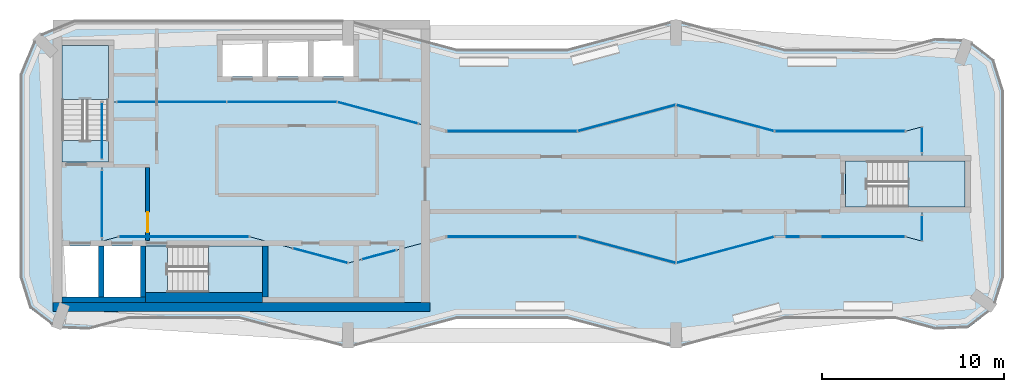
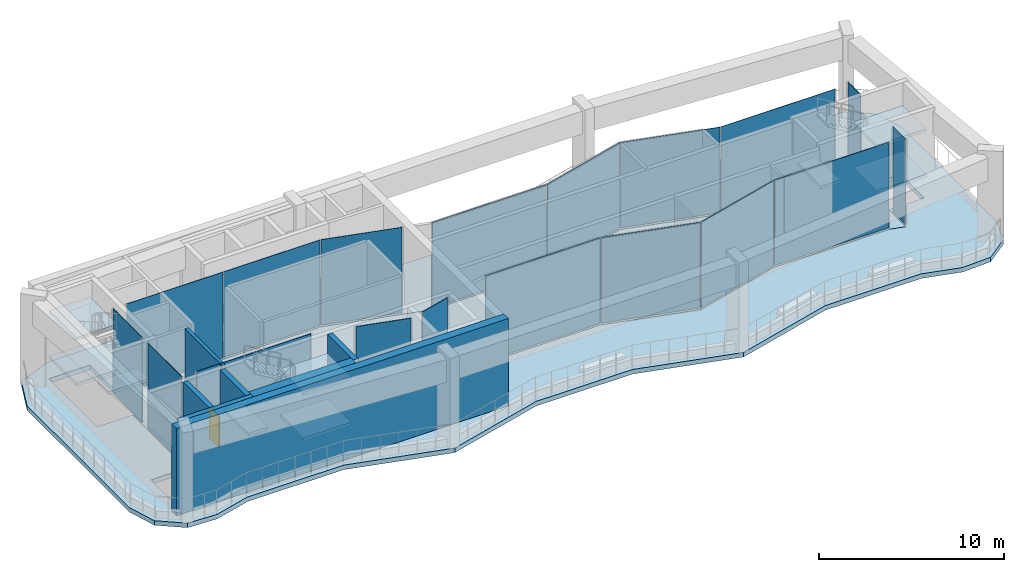
# One storey, part 6 of 12: 18 plates, 11 slabs, 7 walls, 1 door, 1 opening, 20 elements without a shape of their own.
"""IFC4 building model written with IfcOpenShell, lengths in metres."""

from ifc_helpers import new_model, si_unit, direction, frame, frame_2d, origin, origin_2d, place, context, subcontext, project, spatial, polyline, rectangle, outline, extrude, material, layer, layer_set, type_object, element, fill, aggregate, save


model = new_model("IFC4")

# Units and contexts
model_context = context("Model", 3, precision=1e-05, world=origin(), true_north=direction((0.0, 1.0)))
body_context = subcontext(model_context, "Body", "Model", "MODEL_VIEW")
ifc_project = project(units=[si_unit("LENGTHUNIT", "METRE"), si_unit("AREAUNIT", "SQUARE_METRE"), si_unit("VOLUMEUNIT", "CUBIC_METRE"), si_unit("PLANEANGLEUNIT", "RADIAN"), si_unit("MASSUNIT", "GRAM", prefix="KILO")], contexts=[model_context])

# Site, building, storey
site_placement = place(None, origin())
site = spatial("IfcSite", under=ifc_project, at=site_placement, CompositionType="ELEMENT")
building_placement = place(site_placement, origin())
building = spatial("IfcBuilding", under=site, at=building_placement, Name="Plateau Cross Towers", CompositionType="ELEMENT")
storey_placement = place(building_placement, frame((0.0, 0.0, 236.39990234375)))
storey = spatial("IfcBuildingStorey", under=building, at=storey_placement, Name="L62", CompositionType="ELEMENT", Elevation=236.39990234375)

# Curtain wall, plate
ifc_material_1 = material(Name="Dark low-iron glass", Category="glass")
ifc_layer_1 = layer(ifc_material_1, 0.239990234375)
ifc_layer_set_1 = layer_set([ifc_layer_1], Name="Dark low-iron glass")
curtain_wall_type = type_object("IfcCurtainWallType", Name="Curtain wall flush unitised CW-B", PredefinedType="NOTDEFINED", material=ifc_layer_set_1)
curtain_wall_1_placement = place(storey_placement, origin())
curtain_wall_1 = element("IfcCurtainWall", 1, at=curtain_wall_1_placement, inside=storey, type_object=curtain_wall_type, Name="ENV/A/L62/inner0_45_60", PredefinedType="NOTDEFINED")
ifc_layer_2 = layer(ifc_material_1, 0.031982421875)
ifc_layer_set_2 = layer_set([ifc_layer_2], Name="Dark low-iron glass")
plate_type = type_object("IfcPlateType", Name="Glass panel 32 flush unitised", PredefinedType="CURTAIN_PANEL", material=ifc_layer_set_2)
plate_1_placement = place(storey_placement, frame((4.5, 7.89990234375, 0.1201171875), z_axis=(0.0, 0.0, 1.0), x_axis=(0.0, 1.0, 0.0)))
plate_1 = element("IfcPlate", 2, at=plate_1_placement, type_object=plate_type, Name="CW-B panel 1", PredefinedType="CURTAIN_PANEL", context=body_context, shape_type="SweptSolid", body=[
    extrude(rectangle(XDim=3.639892578125, YDim=0.031982421875, at=origin_2d()), origin(), (0.0, 0.0, 1.0), 5.6298828125),
])
aggregate(curtain_wall_1, [plate_1])

curtain_wall_2_placement = place(storey_placement, origin())
curtain_wall_2 = element("IfcCurtainWall", 3, at=curtain_wall_2_placement, inside=storey, type_object=curtain_wall_type, Name="ENV/A/L62/inner0_45_104", PredefinedType="NOTDEFINED")
plate_2_placement = place(storey_placement, frame((4.5, 11.925048828125, 0.1201171875), z_axis=(0.0, 0.0, 1.0), x_axis=(0.0, 1.0, 0.0)))
plate_2 = element("IfcPlate", 4, at=plate_2_placement, type_object=plate_type, Name="CW-B panel 1", PredefinedType="CURTAIN_PANEL", context=body_context, shape_type="SweptSolid", body=[
    extrude(rectangle(XDim=3.090087890625, YDim=0.031982421875, at=origin_2d()), origin(), (0.0, 0.0, 1.0), 5.6298828125),
])
aggregate(curtain_wall_2, [plate_2])

# Curtain wall, plates
curtain_wall_3_placement = place(storey_placement, origin())
curtain_wall_3 = element("IfcCurtainWall", 5, at=curtain_wall_3_placement, inside=storey, type_object=curtain_wall_type, Name="ENV/A/L62/inner0_53_135", PredefinedType="NOTDEFINED")
plate_3_placement = place(storey_placement, frame((8.326904296875, 13.5, 0.1201171875), z_axis=(0.0, 0.0, 1.0), x_axis=(1.0, 0.0, 0.0)))
plate_3 = element("IfcPlate", 6, at=plate_3_placement, type_object=plate_type, Name="CW-B panel 1", PredefinedType="CURTAIN_PANEL", context=body_context, shape_type="SweptSolid", body=[
    extrude(rectangle(XDim=5.993896484375, YDim=0.031982421875, at=origin_2d()), origin(), (0.0, 0.0, 1.0), 5.6298828125),
])
plate_4_placement = place(storey_placement, frame((14.380859375, 13.5, 0.1201171875), z_axis=(0.0, 0.0, 1.0), x_axis=(1.0, 0.0, 0.0)))
plate_4 = element("IfcPlate", 7, at=plate_4_placement, type_object=plate_type, Name="CW-B panel 2", PredefinedType="CURTAIN_PANEL", context=body_context, shape_type="SweptSolid", body=[
    extrude(rectangle(XDim=5.993896484375, YDim=0.031982421875, at=origin_2d()), origin(), (0.0, 0.0, 1.0), 5.6298828125),
])
aggregate(curtain_wall_3, [plate_3, plate_4])

# Curtain wall, plate
curtain_wall_4_placement = place(storey_placement, origin())
curtain_wall_4 = element("IfcCurtainWall", 8, at=curtain_wall_4_placement, inside=storey, type_object=curtain_wall_type, Name="ENV/A/L62/inner0_174_135", PredefinedType="NOTDEFINED")
plate_5_placement = place(storey_placement, frame((19.62939453125, 12.905029296875, 0.1201171875), z_axis=(0.0, 0.0, 1.0), x_axis=(0.965957983404, -0.258699003279, 0.0)))
plate_5 = element("IfcPlate", 9, at=plate_5_placement, type_object=plate_type, Name="CW-B panel 1", PredefinedType="CURTAIN_PANEL", context=body_context, shape_type="SweptSolid", body=[
    extrude(rectangle(XDim=4.539794921875, YDim=0.031982421875, at=origin_2d()), origin(), (0.0, 0.0, 1.0), 5.6298828125),
])
aggregate(curtain_wall_4, [plate_5])

curtain_wall_5_placement = place(storey_placement, origin())
curtain_wall_5 = element("IfcCurtainWall", 10, at=curtain_wall_5_placement, inside=storey, type_object=curtain_wall_type, Name="ENV/A/L62/inner0_234_119", PredefinedType="NOTDEFINED")
plate_6_placement = place(storey_placement, frame((27.0, 11.89306640625, 0.1201171875), z_axis=(0.0, 0.0, 1.0), x_axis=(1.0, 0.0, 0.0)))
plate_6 = element("IfcPlate", 11, at=plate_6_placement, type_object=plate_type, Name="CW-B panel 1", PredefinedType="CURTAIN_PANEL", context=body_context, shape_type="SweptSolid", body=[
    extrude(rectangle(XDim=7.124267578125, YDim=0.031982421875, at=origin_2d()), origin(), (0.0, 0.0, 1.0), 5.6298828125),
])
aggregate(curtain_wall_5, [plate_6])

curtain_wall_6_placement = place(storey_placement, origin())
curtain_wall_6 = element("IfcCurtainWall", 12, at=curtain_wall_6_placement, inside=storey, type_object=curtain_wall_type, Name="ENV/A/L62/inner0_306_119", PredefinedType="NOTDEFINED")
plate_7_placement = place(storey_placement, frame((33.296142578125, 12.6171875, 0.1201171875), z_axis=(0.0, 0.0, 1.0), x_axis=(0.965957983404, 0.258699003279, 0.0)))
plate_7 = element("IfcPlate", 13, at=plate_7_placement, type_object=plate_type, Name="CW-B panel 1", PredefinedType="CURTAIN_PANEL", context=body_context, shape_type="SweptSolid", body=[
    extrude(rectangle(XDim=5.538330078125, YDim=0.031982421875, at=origin_2d()), origin(), (0.0, 0.0, 1.0), 5.6298828125),
])
aggregate(curtain_wall_6, [plate_7])

curtain_wall_7_placement = place(storey_placement, origin())
curtain_wall_7 = element("IfcCurtainWall", 14, at=curtain_wall_7_placement, inside=storey, type_object=curtain_wall_type, Name="ENV/A/L62/inner0_360_133", PredefinedType="NOTDEFINED")
plate_8_placement = place(storey_placement, frame((38.703857421875, 12.6171875, 0.1201171875), z_axis=(0.0, 0.0, 1.0), x_axis=(0.965957983404, -0.258699003279, 0.0)))
plate_8 = element("IfcPlate", 15, at=plate_8_placement, type_object=plate_type, Name="CW-B panel 1", PredefinedType="CURTAIN_PANEL", context=body_context, shape_type="SweptSolid", body=[
    extrude(rectangle(XDim=5.538330078125, YDim=0.031982421875, at=origin_2d()), origin(), (0.0, 0.0, 1.0), 5.6298828125),
])
aggregate(curtain_wall_7, [plate_8])

curtain_wall_8_placement = place(storey_placement, origin())
curtain_wall_8 = element("IfcCurtainWall", 16, at=curtain_wall_8_placement, inside=storey, type_object=curtain_wall_type, Name="ENV/A/L62/inner0_414_119", PredefinedType="NOTDEFINED")
plate_9_placement = place(storey_placement, frame((45.0, 11.89306640625, 0.1201171875), z_axis=(0.0, 0.0, 1.0), x_axis=(1.0, 0.0, 0.0)))
plate_9 = element("IfcPlate", 17, at=plate_9_placement, type_object=plate_type, Name="CW-B panel 1", PredefinedType="CURTAIN_PANEL", context=body_context, shape_type="SweptSolid", body=[
    extrude(rectangle(XDim=7.124267578125, YDim=0.031982421875, at=origin_2d()), origin(), (0.0, 0.0, 1.0), 5.6298828125),
])
aggregate(curtain_wall_8, [plate_9])

curtain_wall_9_placement = place(storey_placement, origin())
curtain_wall_9 = element("IfcCurtainWall", 18, at=curtain_wall_9_placement, inside=storey, type_object=curtain_wall_type, Name="ENV/A/L62/inner0_495_121", PredefinedType="NOTDEFINED")
plate_10_placement = place(storey_placement, frame((49.5, 11.4306640625, 0.1201171875), z_axis=(0.0, 0.0, 1.0), x_axis=(0.0, -1.0, 0.0)))
plate_10 = element("IfcPlate", 19, at=plate_10_placement, type_object=plate_type, Name="CW-B panel 1", PredefinedType="CURTAIN_PANEL", context=body_context, shape_type="SweptSolid", body=[
    extrude(rectangle(XDim=1.351318359375, YDim=0.031982421875, at=origin_2d()), origin(), (0.0, 0.0, 1.0), 5.6298828125),
])
aggregate(curtain_wall_9, [plate_10])

curtain_wall_10_placement = place(storey_placement, origin())
curtain_wall_10 = element("IfcCurtainWall", 20, at=curtain_wall_10_placement, inside=storey, type_object=curtain_wall_type, Name="ENV/A/L62/inner0_495_73", PredefinedType="NOTDEFINED")
plate_11_placement = place(storey_placement, frame((49.5, 6.5693359375, 0.1201171875), z_axis=(0.0, 0.0, 1.0), x_axis=(0.0, -1.0, 0.0)))
plate_11 = element("IfcPlate", 21, at=plate_11_placement, type_object=plate_type, Name="CW-B panel 1", PredefinedType="CURTAIN_PANEL", context=body_context, shape_type="SweptSolid", body=[
    extrude(rectangle(XDim=1.351318359375, YDim=0.031982421875, at=origin_2d()), origin(), (0.0, 0.0, 1.0), 5.6298828125),
])
aggregate(curtain_wall_10, [plate_11])

curtain_wall_11_placement = place(storey_placement, origin())
curtain_wall_11 = element("IfcCurtainWall", 22, at=curtain_wall_11_placement, inside=storey, type_object=curtain_wall_type, Name="ENV/A/L62/inner0_486_61", PredefinedType="NOTDEFINED")
plate_12_placement = place(storey_placement, frame((45.0, 6.10693359375, 0.1201171875), z_axis=(0.0, 0.0, 1.0), x_axis=(-1.0, 0.0, 0.0)))
plate_12 = element("IfcPlate", 23, at=plate_12_placement, type_object=plate_type, Name="CW-B panel 1", PredefinedType="CURTAIN_PANEL", context=body_context, shape_type="SweptSolid", body=[
    extrude(rectangle(XDim=7.124267578125, YDim=0.031982421875, at=origin_2d()), origin(), (0.0, 0.0, 1.0), 5.6298828125),
])
aggregate(curtain_wall_11, [plate_12])

curtain_wall_12_placement = place(storey_placement, origin())
curtain_wall_12 = element("IfcCurtainWall", 24, at=curtain_wall_12_placement, inside=storey, type_object=curtain_wall_type, Name="ENV/A/L62/inner0_414_61", PredefinedType="NOTDEFINED")
plate_13_placement = place(storey_placement, frame((38.703857421875, 5.3828125, 0.1201171875), z_axis=(0.0, 0.0, 1.0), x_axis=(-0.965957983404, -0.258699003279, 0.0)))
plate_13 = element("IfcPlate", 25, at=plate_13_placement, type_object=plate_type, Name="CW-B panel 1", PredefinedType="CURTAIN_PANEL", context=body_context, shape_type="SweptSolid", body=[
    extrude(rectangle(XDim=5.538330078125, YDim=0.031982421875, at=origin_2d()), origin(), (0.0, 0.0, 1.0), 5.6298828125),
])
aggregate(curtain_wall_12, [plate_13])

curtain_wall_13_placement = place(storey_placement, origin())
curtain_wall_13 = element("IfcCurtainWall", 26, at=curtain_wall_13_placement, inside=storey, type_object=curtain_wall_type, Name="ENV/A/L62/inner0_360_47", PredefinedType="NOTDEFINED")
plate_14_placement = place(storey_placement, frame((33.296142578125, 5.3828125, 0.1201171875), z_axis=(0.0, 0.0, 1.0), x_axis=(-0.965957983404, 0.258699003279, 0.0)))
plate_14 = element("IfcPlate", 27, at=plate_14_placement, type_object=plate_type, Name="CW-B panel 1", PredefinedType="CURTAIN_PANEL", context=body_context, shape_type="SweptSolid", body=[
    extrude(rectangle(XDim=5.538330078125, YDim=0.031982421875, at=origin_2d()), origin(), (0.0, 0.0, 1.0), 5.6298828125),
])
aggregate(curtain_wall_13, [plate_14])

curtain_wall_14_placement = place(storey_placement, origin())
curtain_wall_14 = element("IfcCurtainWall", 28, at=curtain_wall_14_placement, inside=storey, type_object=curtain_wall_type, Name="ENV/A/L62/inner0_306_61", PredefinedType="NOTDEFINED")
plate_15_placement = place(storey_placement, frame((27.0, 6.10693359375, 0.1201171875), z_axis=(0.0, 0.0, 1.0), x_axis=(-1.0, 0.0, 0.0)))
plate_15 = element("IfcPlate", 29, at=plate_15_placement, type_object=plate_type, Name="CW-B panel 1", PredefinedType="CURTAIN_PANEL", context=body_context, shape_type="SweptSolid", body=[
    extrude(rectangle(XDim=7.124267578125, YDim=0.031982421875, at=origin_2d()), origin(), (0.0, 0.0, 1.0), 5.6298828125),
])
aggregate(curtain_wall_14, [plate_15])

curtain_wall_15_placement = place(storey_placement, origin())
curtain_wall_15 = element("IfcCurtainWall", 30, at=curtain_wall_15_placement, inside=storey, type_object=curtain_wall_type, Name="ENV/A/L62/inner0_207_54", PredefinedType="NOTDEFINED")
plate_16_placement = place(storey_placement, frame((19.699951171875, 5.11376953125, 0.1201171875), z_axis=(0.0, 0.0, 1.0), x_axis=(-0.965957983404, -0.258699003279, 0.0)))
plate_16 = element("IfcPlate", 31, at=plate_16_placement, type_object=plate_type, Name="CW-B panel 1", PredefinedType="CURTAIN_PANEL", context=body_context, shape_type="SweptSolid", body=[
    extrude(rectangle(XDim=1.9091796875, YDim=0.031982421875, at=origin_2d()), origin(), (0.0, 0.0, 1.0), 5.6298828125),
])
aggregate(curtain_wall_15, [plate_16])

curtain_wall_16_placement = place(storey_placement, origin())
curtain_wall_16 = element("IfcCurtainWall", 32, at=curtain_wall_16_placement, inside=storey, type_object=curtain_wall_type, Name="ENV/A/L62/inner0_180_47", PredefinedType="NOTDEFINED")
plate_17_placement = place(storey_placement, frame((16.48095703125, 5.0654296875, 0.1201171875), z_axis=(0.0, 0.0, 1.0), x_axis=(-0.965957983404, 0.258699003279, 0.0)))
plate_17 = element("IfcPlate", 33, at=plate_17_placement, type_object=plate_type, Name="CW-B panel 1", PredefinedType="CURTAIN_PANEL", context=body_context, shape_type="SweptSolid", body=[
    extrude(rectangle(XDim=3.085205078125, YDim=0.031982421875, at=origin_2d()), origin(), (0.0, 0.0, 1.0), 5.6298828125),
])
aggregate(curtain_wall_16, [plate_17])

curtain_wall_17_placement = place(storey_placement, origin())
curtain_wall_17 = element("IfcCurtainWall", 34, at=curtain_wall_17_placement, inside=storey, type_object=curtain_wall_type, Name="ENV/A/L62/inner0_126_61", PredefinedType="NOTDEFINED")
plate_18_placement = place(storey_placement, frame((9.0, 6.10693359375, 0.1201171875), z_axis=(0.0, 0.0, 1.0), x_axis=(-1.0, 0.0, 0.0)))
plate_18 = element("IfcPlate", 35, at=plate_18_placement, type_object=plate_type, Name="CW-B panel 1", PredefinedType="CURTAIN_PANEL", context=body_context, shape_type="SweptSolid", body=[
    extrude(rectangle(XDim=7.124267578125, YDim=0.031982421875, at=origin_2d()), origin(), (0.0, 0.0, 1.0), 5.6298828125),
])
aggregate(curtain_wall_17, [plate_18])

# Slabs
ifc_material_2 = material(Name="Concrete C40/50", Category="concrete")
ifc_layer_3 = layer(ifc_material_2, 0.300048828125)
ifc_layer_set_3 = layer_set([ifc_layer_3], Name="Concrete C40/50")
slab_type_1 = type_object("IfcSlabType", Name="Post-tensioned deck slab 300", PredefinedType="FLOOR", material=ifc_layer_set_3)
slab_1_placement = place(storey_placement, frame((0.0, 0.0, -0.2998046875)))
element("IfcSlab", 36, at=slab_1_placement, inside=storey, type_object=slab_type_1, Name="SL-A-L62-WK", PredefinedType="FLOOR", context=body_context, shape_type="SweptSolid", body=[
    extrude(outline(polyline([(0.54248046875, 2.1884765625), (0.0, 3.9091796875), (0.0, 15.0), (0.878662109375, 17.121337890625), (3.0, 18.0), (18.0, 18.0), (24.0, 16.39306640625), (30.0, 16.39306640625), (36.0, 18.0), (42.0, 16.39306640625), (48.0, 16.39306640625), (50.223876953125, 16.98876953125), (52.0263671875, 16.909912109375), (53.45751953125, 15.8115234375), (54.0, 14.0908203125), (54.0, 3.9091796875), (53.45751953125, 2.1884765625), (52.0263671875, 1.090087890625), (50.223876953125, 1.01123046875), (48.0, 1.60693359375), (42.0, 1.60693359375), (36.0, 0.0), (30.0, 1.60693359375), (24.0, 1.60693359375), (18.0, 0.0), (12.0, 1.60693359375), (6.0, 1.60693359375), (3.776123046875, 1.01123046875), (1.9736328125, 1.090087890625), (0.54248046875, 2.1884765625)]), holes=[polyline([(2.300048828125, 5.60009765625), (2.300048828125, 2.800048828125), (4.300048828125, 2.800048828125), (4.300048828125, 5.60009765625), (2.300048828125, 5.60009765625)]), polyline([(4.60009765625, 5.60009765625), (4.60009765625, 2.800048828125), (6.60009765625, 2.800048828125), (6.60009765625, 5.60009765625), (4.60009765625, 5.60009765625)]), polyline([(8.10009765625, 5.60009765625), (8.10009765625, 3.050048828125), (13.300048828125, 3.050048828125), (13.300048828125, 5.60009765625), (8.10009765625, 5.60009765625)]), polyline([(49.5, 10.27490234375), (49.5, 12.13623046875), (48.592041015625, 11.89306640625), (41.407958984375, 11.89306640625), (36.0, 13.34130859375), (30.592041015625, 11.89306640625), (23.407958984375, 11.89306640625), (17.407958984375, 13.5), (4.85009765625, 13.5), (4.85009765625, 16.60009765625), (2.300048828125, 16.60009765625), (2.300048828125, 11.39990234375), (4.5, 11.39990234375), (4.5, 5.86376953125), (5.407958984375, 6.10693359375), (12.592041015625, 6.10693359375), (18.0, 4.65869140625), (23.407958984375, 6.10693359375), (30.592041015625, 6.10693359375), (36.0, 4.65869140625), (41.407958984375, 6.10693359375), (48.592041015625, 6.10693359375), (49.5, 5.86376953125), (49.5, 7.72509765625), (51.699951171875, 7.72509765625), (51.699951171875, 10.27490234375), (49.5, 10.27490234375)]), polyline([(11.10009765625, 16.89990234375), (11.10009765625, 14.89990234375), (13.300048828125, 14.89990234375), (13.300048828125, 16.89990234375), (11.10009765625, 16.89990234375)]), polyline([(13.60009765625, 16.89990234375), (13.60009765625, 14.89990234375), (15.800048828125, 14.89990234375), (15.800048828125, 16.89990234375), (13.60009765625, 16.89990234375)]), polyline([(16.10009765625, 16.89990234375), (16.10009765625, 14.89990234375), (18.300048828125, 14.89990234375), (18.300048828125, 16.89990234375), (16.10009765625, 16.89990234375)])]), origin(), (0.0, 0.0, 1.0), 0.2998046875),
])
ifc_layer_4 = layer(ifc_material_2, 0.300048828125)
ifc_layer_set_4 = layer_set([ifc_layer_4], Name="Concrete C40/50")
slab_type_2 = type_object("IfcSlabType", Name="Post-tensioned flat plate slab 300", PredefinedType="FLOOR", material=ifc_layer_set_4)
slab_2_placement = place(storey_placement, frame((0.0, 0.0, -0.2998046875)))
element("IfcSlab", 37, at=slab_2_placement, inside=storey, type_object=slab_type_2, Name="SL-A-L62", PredefinedType="FLOOR", context=body_context, shape_type="SweptSolid", body=[
    extrude(outline(polyline([(46.5, 10.27490234375), (46.5, 7.72509765625), (49.5, 7.72509765625), (49.5, 5.86376953125), (48.592041015625, 6.10693359375), (41.407958984375, 6.10693359375), (36.0, 4.65869140625), (30.592041015625, 6.10693359375), (23.407958984375, 6.10693359375), (18.0, 4.65869140625), (12.592041015625, 6.10693359375), (5.407958984375, 6.10693359375), (4.5, 5.86376953125), (4.5, 11.39990234375), (4.85009765625, 11.39990234375), (4.85009765625, 13.5), (17.407958984375, 13.5), (23.407958984375, 11.89306640625), (30.592041015625, 11.89306640625), (36.0, 13.34130859375), (41.407958984375, 11.89306640625), (48.592041015625, 11.89306640625), (49.5, 12.13623046875), (49.5, 10.27490234375), (46.5, 10.27490234375)])), origin(), (0.0, 0.0, 1.0), 0.2998046875),
])

# Stair, slabs
stair_type = type_object("IfcStairType", Name="ST-TWR", PredefinedType="HALF_TURN_STAIR", material=ifc_material_2)
stair_1_placement = place(storey_placement, origin())
stair_1 = element("IfcStair", 38, at=stair_1_placement, inside=storey, type_object=stair_type, Name="L62 Protected Exit Stair ST-1", PredefinedType="HALF_TURN_STAIR")
ifc_layer_5 = layer(ifc_material_2, 0.199951171875)
ifc_layer_set_5 = layer_set([ifc_layer_5], Name="Concrete C40/50")
slab_type_3 = type_object("IfcSlabType", Name="SL-LANDING", PredefinedType="LANDING", material=ifc_layer_set_5)
slab_3_placement = place(storey_placement, frame((0.0, 0.0, 1.300048828125)))
slab_3 = element("IfcSlab", 39, at=slab_3_placement, type_object=slab_type_3, Name="ST-1 landing 1", PredefinedType="LANDING", context=body_context, shape_type="SweptSolid", body=[
    extrude(outline(polyline([(4.85009765625, 13.639892578125), (4.85009765625, 16.60009765625), (2.300048828125, 16.60009765625), (2.300048828125, 13.639892578125), (4.85009765625, 13.639892578125)])), origin(), (0.0, 0.0, 1.0), 0.199951171875),
])
slab_4_placement = place(storey_placement, frame((0.0, 0.0, 2.800048828125)))
slab_4 = element("IfcSlab", 40, at=slab_4_placement, type_object=slab_type_3, Name="ST-1 landing 2", PredefinedType="LANDING", context=body_context, shape_type="SweptSolid", body=[
    extrude(outline(polyline([(4.85009765625, 10.199951171875), (4.85009765625, 11.39990234375), (2.300048828125, 11.39990234375), (2.300048828125, 10.199951171875), (4.85009765625, 10.199951171875)])), origin(), (0.0, 0.0, 1.0), 0.199951171875),
])
slab_5_placement = place(storey_placement, frame((0.0, 0.0, 4.300048828125)))
slab_5 = element("IfcSlab", 41, at=slab_5_placement, type_object=slab_type_3, Name="ST-1 landing 3", PredefinedType="LANDING", context=body_context, shape_type="SweptSolid", body=[
    extrude(outline(polyline([(4.85009765625, 13.639892578125), (4.85009765625, 16.60009765625), (2.300048828125, 16.60009765625), (2.300048828125, 13.639892578125), (4.85009765625, 13.639892578125)])), origin(), (0.0, 0.0, 1.0), 0.199951171875),
])
aggregate(stair_1, [slab_3, slab_4, slab_5])

stair_2_placement = place(storey_placement, origin())
stair_2 = element("IfcStair", 42, at=stair_2_placement, inside=storey, type_object=stair_type, Name="L62 Protected Exit Stair ST-2", PredefinedType="HALF_TURN_STAIR")
slab_6_placement = place(storey_placement, frame((0.0, 0.0, 1.300048828125)))
slab_6 = element("IfcSlab", 43, at=slab_6_placement, type_object=slab_type_3, Name="ST-2 landing 1", PredefinedType="LANDING", context=body_context, shape_type="SweptSolid", body=[
    extrude(outline(polyline([(10.340087890625, 3.050048828125), (13.300048828125, 3.050048828125), (13.300048828125, 5.60009765625), (10.340087890625, 5.60009765625), (10.340087890625, 3.050048828125)])), origin(), (0.0, 0.0, 1.0), 0.199951171875),
])
slab_7_placement = place(storey_placement, frame((0.0, 0.0, 2.800048828125)))
slab_7 = element("IfcSlab", 44, at=slab_7_placement, type_object=slab_type_3, Name="ST-2 landing 2", PredefinedType="LANDING", context=body_context, shape_type="SweptSolid", body=[
    extrude(outline(polyline([(6.89990234375, 3.050048828125), (8.10009765625, 3.050048828125), (8.10009765625, 5.60009765625), (6.89990234375, 5.60009765625), (6.89990234375, 3.050048828125)])), origin(), (0.0, 0.0, 1.0), 0.199951171875),
])
slab_8_placement = place(storey_placement, frame((0.0, 0.0, 4.300048828125)))
slab_8 = element("IfcSlab", 45, at=slab_8_placement, type_object=slab_type_3, Name="ST-2 landing 3", PredefinedType="LANDING", context=body_context, shape_type="SweptSolid", body=[
    extrude(outline(polyline([(10.340087890625, 3.050048828125), (13.300048828125, 3.050048828125), (13.300048828125, 5.60009765625), (10.340087890625, 5.60009765625), (10.340087890625, 3.050048828125)])), origin(), (0.0, 0.0, 1.0), 0.199951171875),
])
aggregate(stair_2, [slab_6, slab_7, slab_8])

stair_3_placement = place(storey_placement, origin())
stair_3 = element("IfcStair", 46, at=stair_3_placement, inside=storey, type_object=stair_type, Name="L62 Protected Exit Stair E", PredefinedType="HALF_TURN_STAIR")
slab_9_placement = place(storey_placement, frame((0.0, 0.0, 1.300048828125)))
slab_9 = element("IfcSlab", 47, at=slab_9_placement, type_object=slab_type_3, Name="ES-E landing 1", PredefinedType="LANDING", context=body_context, shape_type="SweptSolid", body=[
    extrude(outline(polyline([(48.739990234375, 7.72509765625), (51.85009765625, 7.72509765625), (51.85009765625, 10.27490234375), (48.739990234375, 10.27490234375), (48.739990234375, 7.72509765625)])), origin(), (0.0, 0.0, 1.0), 0.199951171875),
])
slab_10_placement = place(storey_placement, frame((0.0, 0.0, 2.800048828125)))
slab_10 = element("IfcSlab", 48, at=slab_10_placement, type_object=slab_type_3, Name="ES-E landing 2", PredefinedType="LANDING", context=body_context, shape_type="SweptSolid", body=[
    extrude(outline(polyline([(45.300048828125, 7.72509765625), (46.5, 7.72509765625), (46.5, 10.27490234375), (45.300048828125, 10.27490234375), (45.300048828125, 7.72509765625)])), origin(), (0.0, 0.0, 1.0), 0.199951171875),
])
slab_11_placement = place(storey_placement, frame((0.0, 0.0, 4.300048828125)))
slab_11 = element("IfcSlab", 49, at=slab_11_placement, type_object=slab_type_3, Name="ES-E landing 3", PredefinedType="LANDING", context=body_context, shape_type="SweptSolid", body=[
    extrude(outline(polyline([(48.739990234375, 7.72509765625), (51.85009765625, 7.72509765625), (51.85009765625, 10.27490234375), (48.739990234375, 10.27490234375), (48.739990234375, 7.72509765625)])), origin(), (0.0, 0.0, 1.0), 0.199951171875),
])
aggregate(stair_3, [slab_9, slab_10, slab_11])

# Wall, opening, door
ifc_material_3 = material(Name="Concrete block, plastered both sides", Category="concrete")
ifc_layer_6 = layer(ifc_material_3, 0.199951171875)
ifc_layer_set_6 = layer_set([ifc_layer_6], Name="Concrete block, plastered both sides")
wall_type_1 = type_object("IfcWallType", Name="Core partition 200", PredefinedType="PARTITIONING", material=ifc_layer_set_6)
wall_1_placement = place(storey_placement, frame((7.0, 5.89990234375, 0.0), z_axis=(0.0, 0.0, 1.0), x_axis=(0.0, 1.0, 0.0)))
wall_1 = element("IfcWall", 50, at=wall_1_placement, inside=storey, type_object=wall_type_1, Name="Core partition", PredefinedType="PARTITIONING", context=body_context, shape_type="SweptSolid", body=[
    extrude(rectangle(XDim=4.0, YDim=0.199951171875, at=frame_2d((2.0, 0.0))), origin(), (0.0, 0.0, 1.0), 5.75),
])
opening_placement = place(wall_1_placement, frame((0.449951171875, 0.0, 0.0)))
opening = element("IfcOpeningElement", 51, at=opening_placement, cuts=wall_1, Name="Opening FFD", PredefinedType="OPENING", context=body_context, shape_type="SweptSolid", body=[
    extrude(rectangle(XDim=1.10009765625, YDim=2.10009765625, at=frame_2d((0.550048828125, 1.050048828125))), frame((0.0, 0.10986328125, 0.0), z_axis=(0.0, -1.0, 0.0), x_axis=(1.0, 0.0, 0.0)), (0.0, 0.0, 1.0), 0.219970703125),
])
ifc_material_4 = material(Name="Steel, fire-resisting leaf", Category="steel")
door_type = type_object("IfcDoorType", Name="Firefighting lobby door 1100", OperationType="NOTDEFINED", PredefinedType="DOOR", material=ifc_material_4)
door_placement = place(opening_placement, origin())
door = element("IfcDoor", 52, at=door_placement, inside=storey, type_object=door_type, Name="Firefighting lobby door FFD", OperationType="SINGLE_SWING_LEFT", OverallHeight=2.10009765625, OverallWidth=1.10009765625, PredefinedType="DOOR", context=body_context, shape_type="SweptSolid", body=[
    extrude(rectangle(XDim=1.10009765625, YDim=2.10009765625, at=frame_2d((0.550048828125, 1.050048828125))), frame((0.0, 0.02490234375, 0.0), z_axis=(0.0, -1.0, 0.0), x_axis=(1.0, 0.0, 0.0)), (0.0, 0.0, 1.0), 0.050048828125),
])
fill(opening, door)

# Walls
ifc_material_5 = material(Name="Concrete C60/75", Category="concrete")
ifc_layer_7 = layer(ifc_material_5, 0.300048828125)
ifc_layer_set_7 = layer_set([ifc_layer_7], Name="Concrete C60/75")
wall_type_2 = type_object("IfcWallType", Name="Core shaft wall 300", PredefinedType="SHEAR", material=ifc_layer_set_7)
wall_2_placement = place(storey_placement, frame((2.300048828125, 2.64990234375, 0.0), z_axis=(0.0, 0.0, 1.0), x_axis=(1.0, 0.0, 0.0)))
element("IfcWall", 53, at=wall_2_placement, inside=storey, type_object=wall_type_2, Name="A-sb-back1@L62", PredefinedType="SHEAR", context=body_context, shape_type="SweptSolid", body=[
    extrude(rectangle(XDim=4.599853515625, YDim=0.300048828125, at=frame_2d((2.2998046875, 0.0))), origin(), (0.0, 0.0, 1.0), 5.75),
])
for number, where, z_axis, x_axis, name in (
    (54, (4.449951171875, 2.800048828125, 0.0), (0.0, 0.0, 1.0), (0.0, 1.0, 0.0), "A-sb-v1@L62"),
    (55, (6.75, 2.800048828125, 0.0), (0.0, 0.0, 1.0), (0.0, 1.0, 0.0), "A-sb-v2@L62"),
    (56, (13.449951171875, 2.800048828125, 0.0), (0.0, 0.0, 1.0), (0.0, 1.0, 0.0), "A-sb-v3@L62"),
):
    element("IfcWall", number, at=place(storey_placement, frame(where, z_axis=z_axis, x_axis=x_axis)), inside=storey, type_object=wall_type_2, Name=name, PredefinedType="SHEAR", context=body_context, shape_type="SweptSolid", body=[
        extrude(rectangle(XDim=2.800048828125, YDim=0.300048828125, at=frame_2d((1.39990234375, 0.0))), origin(), (0.0, 0.0, 1.0), 5.75),
    ])
ifc_layer_8 = layer(ifc_material_5, 0.550048828125)
ifc_layer_set_8 = layer_set([ifc_layer_8], Name="Concrete C60/75")
wall_type_3 = type_object("IfcWallType", Name="Core shaft wall 550", PredefinedType="SHEAR", material=ifc_layer_set_8)
wall_3_placement = place(storey_placement, frame((6.89990234375, 2.77490234375, 0.0), z_axis=(0.0, 0.0, 1.0), x_axis=(1.0, 0.0, 0.0)))
element("IfcWall", 57, at=wall_3_placement, inside=storey, type_object=wall_type_3, Name="A-sb-back2@L62", PredefinedType="SHEAR", context=body_context, shape_type="SweptSolid", body=[
    extrude(rectangle(XDim=6.400146484375, YDim=0.550048828125, at=frame_2d((3.2001953125, 0.0))), origin(), (0.0, 0.0, 1.0), 5.75),
])
ifc_layer_9 = layer(ifc_material_5, 0.5)
ifc_layer_set_9 = layer_set([ifc_layer_9], Name="Concrete C60/75")
wall_type_4 = type_object("IfcWallType", Name="Core shell wall 500", PredefinedType="SHEAR", material=ifc_layer_set_9)
wall_4_placement = place(storey_placement, frame((1.800048828125, 2.25, 0.0), z_axis=(0.0, 0.0, 1.0), x_axis=(1.0, 0.0, 0.0)))
element("IfcWall", 58, at=wall_4_placement, inside=storey, type_object=wall_type_4, Name="A-core-S@L62", PredefinedType="SHEAR", context=body_context, shape_type="SweptSolid", body=[
    extrude(rectangle(XDim=20.699951171875, YDim=0.5, at=frame_2d((10.35009765625, 0.0))), origin(), (0.0, 0.0, 1.0), 5.75),
])

save(model, "model.ifc")
